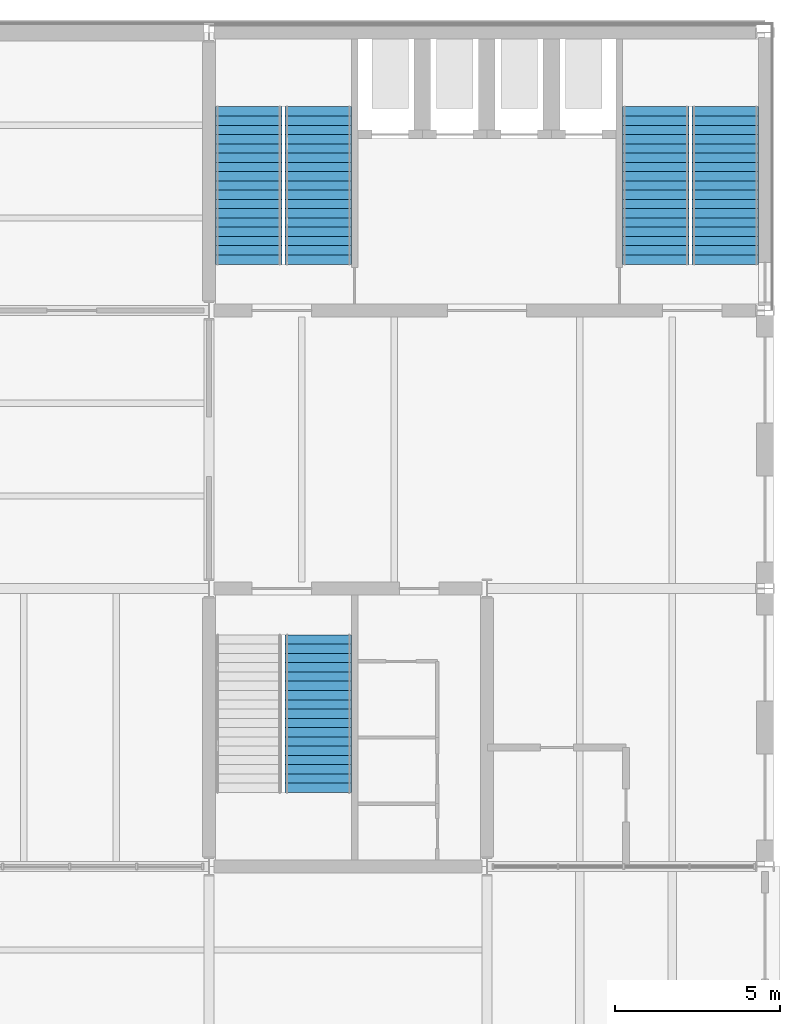
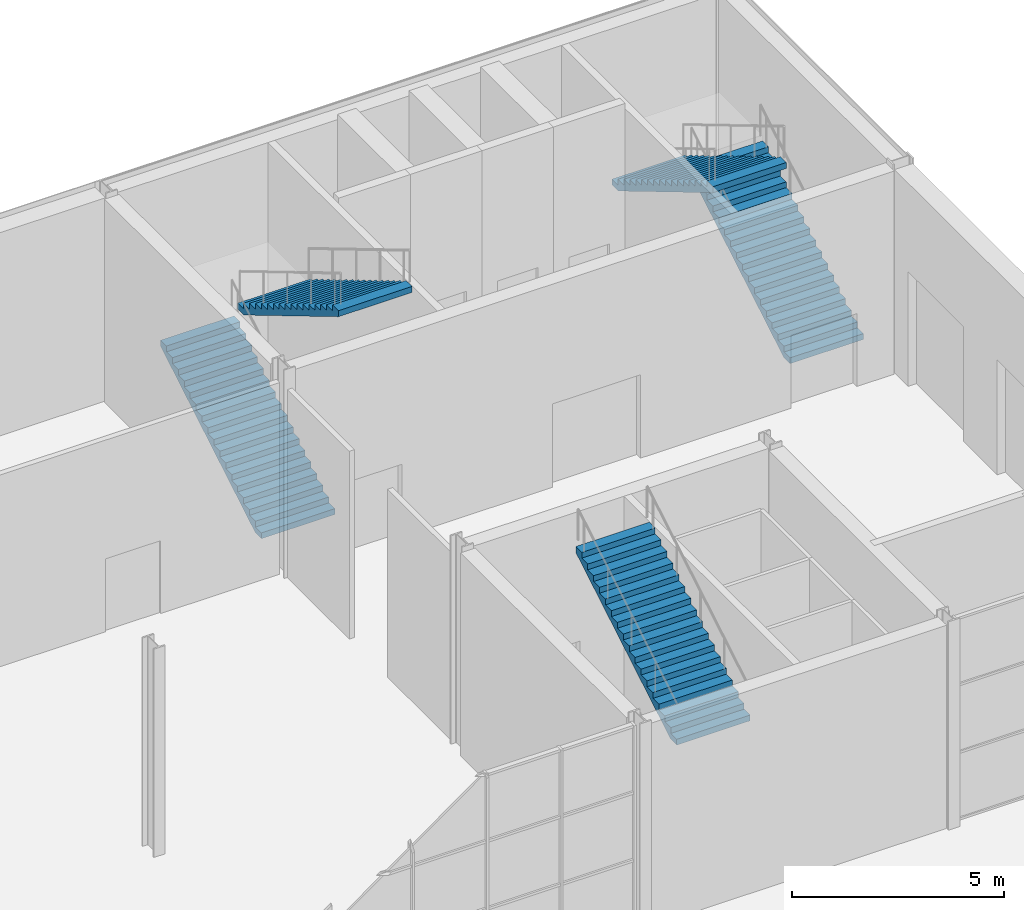
# One storey, part 39 of 55: 5 stair flights, 3 elements without a shape of their own.
"""IFC4 building model written with IfcOpenShell, lengths in metres."""

import ifcopenshell
import ifcopenshell.guid

model = None  # the IFC model being written
_history = None  # IfcOwnerHistory: only IFC2X3 demands one
_inside = {}  # id of a spatial element -> (the spatial element, [elements in it])
_under = {}  # id of a project, library or spatial element -> (it, [spatial elements below it])
_declared = {}  # id of a project -> (the project, [libraries it declares])
_typed = {}  # id of a type object -> (the type object, [elements of that type])
_made_of = {}  # id of a material, layer set ... -> (it, [elements and type objects made of it])


def new_model(schema):
    """Start an empty IFC model of exactly this schema.

    Asked for "IFC4X3", IfcOpenShell would pick the latest addendum, in which some entities
    have other attributes; the version numbers below select the first issue.
    IFC2X3 requires an IfcOwnerHistory on every rooted entity: one is made here for all.
    """
    global model, _history
    if schema == "IFC4X3":
        model = ifcopenshell.file(schema_version=(4, 3, 0, 0))
    else:
        model = ifcopenshell.file(schema=schema)
    _inside.clear()
    _under.clear()
    _declared.clear()
    _typed.clear()
    _made_of.clear()
    _history = None
    if model.schema == "IFC2X3":
        org = make("IfcOrganization", Name="unknown")
        user = make(
            "IfcPersonAndOrganization",
            ThePerson=make("IfcPerson", FamilyName="unknown"),
            TheOrganization=org,
        )
        app = make(
            "IfcApplication",
            ApplicationDeveloper=org,
            Version="unknown",
            ApplicationFullName="unknown",
            ApplicationIdentifier="unknown",
        )
        _history = make(
            "IfcOwnerHistory",
            OwningUser=user,
            OwningApplication=app,
            ChangeAction="ADDED",
            CreationDate=0,
        )
    return model


def make(cls, **values):
    """One entity of the class cls with the attributes given. An attribute that is None is left unset."""
    return model.create_entity(
        cls, **{name: value for name, value in values.items() if value is not None}
    )


def rooted(cls, **values):
    """An entity with a GlobalId (a new one), such as an element, a storey or a relation."""
    return make(cls, GlobalId=ifcopenshell.guid.new(), OwnerHistory=_history, **values)


def si_unit(unit_type, name, prefix=None):
    """IfcSIUnit, for example si_unit("LENGTHUNIT", "METRE", prefix="MILLI")."""
    return make("IfcSIUnit", UnitType=unit_type, Prefix=prefix, Name=name)


def assignment(units):
    """IfcUnitAssignment: the units of a project."""
    return None if units is None else make("IfcUnitAssignment", Units=units)


def point(xyz):
    """IfcCartesianPoint."""
    return None if xyz is None else make("IfcCartesianPoint", Coordinates=xyz)


def direction(xyz):
    """IfcDirection."""
    return None if xyz is None else make("IfcDirection", DirectionRatios=xyz)


def frame(location, z_axis=None, x_axis=None):
    """IfcAxis2Placement3D, a coordinate frame: its origin and axes. An axis left out is left unset."""
    return make(
        "IfcAxis2Placement3D",
        Location=point(location),
        Axis=direction(z_axis),
        RefDirection=direction(x_axis),
    )


def origin():
    """The frame at (0, 0, 0) with its axes left unset."""
    return frame((0.0, 0.0, 0.0))


def place(relative_to, where):
    """IfcLocalPlacement: puts the frame where relative to a parent placement (None: the world)."""
    return make(
        "IfcLocalPlacement", PlacementRelTo=relative_to, RelativePlacement=where
    )


def context(
    kind, dimensions, precision=None, world=None, true_north=None, identifier=None
):
    """IfcGeometricRepresentationContext, for example the 3D "Model" context."""
    return make(
        "IfcGeometricRepresentationContext",
        ContextIdentifier=identifier,
        ContextType=kind,
        CoordinateSpaceDimension=dimensions,
        Precision=precision,
        WorldCoordinateSystem=world,
        TrueNorth=true_north,
    )


def subcontext(parent, identifier, kind, view, scale=None):
    """IfcGeometricRepresentationSubContext, for example "Body" below "Model"."""
    return make(
        "IfcGeometricRepresentationSubContext",
        ContextIdentifier=identifier,
        ContextType=kind,
        ParentContext=parent,
        TargetScale=scale,
        TargetView=view,
    )


def project(units=None, contexts=None):
    """IfcProject with its units and contexts."""
    return rooted(
        "IfcProject",
        Name="project",
        RepresentationContexts=contexts,
        UnitsInContext=assignment(units),
    )


def spatial(cls, under=None, at=None, **own):
    """A site, building, storey or space (cls), placed at a placement, below another one or the project."""
    s = rooted(cls, ObjectPlacement=at, **own)
    if under is not None:
        _under.setdefault(under.id(), (under, []))[1].append(s)
    return s


def polyline(points):
    """IfcPolyline through the points."""
    return make("IfcPolyline", Points=[point(p) for p in points])


def outline(outer, holes=None, kind="AREA"):
    """IfcArbitraryClosedProfileDef: a profile drawn as a closed curve; with holes, ...WithVoids."""
    if holes is None:
        return make("IfcArbitraryClosedProfileDef", ProfileType=kind, OuterCurve=outer)
    return make(
        "IfcArbitraryProfileDefWithVoids",
        ProfileType=kind,
        OuterCurve=outer,
        InnerCurves=holes,
    )


def extrude(swept, where, along, depth):
    """IfcExtrudedAreaSolid: the profile swept, set in the frame where, extruded along a direction by depth."""
    return make(
        "IfcExtrudedAreaSolid",
        SweptArea=swept,
        Position=where,
        ExtrudedDirection=direction(along),
        Depth=depth,
    )


def shape(context_of_items, identifier, shape_type, items):
    """IfcShapeRepresentation: the items that make up one representation, for example the "Body"."""
    return make(
        "IfcShapeRepresentation",
        ContextOfItems=context_of_items,
        RepresentationIdentifier=identifier,
        RepresentationType=shape_type,
        Items=items,
    )


def material(Name=None, Category=None):
    """IfcMaterial."""
    return make("IfcMaterial", Name=Name, Category=Category)


def made_of(thing, what):
    """Note that an element or type object is made of a material, layer set ...; save() writes the relation."""
    if what is not None:
        _made_of.setdefault(what.id(), (what, []))[1].append(thing)
    return thing


def type_object(cls, material=None, **own):
    """A type object (cls), such as IfcWallType, which elements share."""
    return made_of(rooted(cls, **own), material)


def element(
    cls,
    number,
    at=None,
    inside=None,
    cuts=None,
    type_object=None,
    material=None,
    context=None,
    identifier="Body",
    shape_type=None,
    held_by="IfcProductDefinitionShape",
    body=None,
    shapes=None,
    **own,
):
    """One element of the class cls, such as IfcWall. Its Tag is "e" and its number.

    at: its placement. inside: the storey or other place that contains it. cuts: it is an
    opening in that element (IfcRelVoidsElement). A single representation is given by context,
    identifier, shape_type and body (its items); several are given by shapes. held_by: the class
    of the entity that holds the representations. save() writes the other relations.
    """
    e = rooted(cls, Tag="e%d" % number, ObjectPlacement=at, **own)
    if body is not None:
        shapes = [shape(context, identifier, shape_type, body)]
    if shapes is not None:
        e.Representation = make(held_by, Representations=shapes)
    if inside is not None:
        _inside.setdefault(inside.id(), (inside, []))[1].append(e)
    if cuts is not None:
        rooted(
            "IfcRelVoidsElement", RelatingBuildingElement=cuts, RelatedOpeningElement=e
        )
    if type_object is not None:
        _typed.setdefault(type_object.id(), (type_object, []))[1].append(e)
    return made_of(e, material)


def aggregate(whole, parts):
    """IfcRelAggregates: a whole, such as a stair, and the parts it consists of."""
    return rooted("IfcRelAggregates", RelatingObject=whole, RelatedObjects=parts)


def save(model, path):
    """Write the relations noted so far, then the file.

    IfcRelAggregates (storeys below a building ...), IfcRelContainedInSpatialStructure (elements
    in a storey), IfcRelDefinesByType, IfcRelAssociatesMaterial and IfcRelDeclares: one each for
    every whole, place, type object, material and project.
    """
    for whole, parts in _under.values():
        aggregate(whole, parts)
    for where, things in _inside.values():
        rooted(
            "IfcRelContainedInSpatialStructure",
            RelatedElements=things,
            RelatingStructure=where,
        )
    for kind, things in _typed.values():
        rooted("IfcRelDefinesByType", RelatedObjects=things, RelatingType=kind)
    for what, things in _made_of.values():
        rooted("IfcRelAssociatesMaterial", RelatedObjects=things, RelatingMaterial=what)
    for by, libraries in _declared.values():
        rooted("IfcRelDeclares", RelatingContext=by, RelatedDefinitions=libraries)
    model.write(path)


model = new_model("IFC4")

# Units and contexts
model_context = context("Model", 3, precision=1e-05, world=origin(), true_north=direction((0.0, 1.0)))
body_context = subcontext(model_context, "Body", "Model", "MODEL_VIEW")
ifc_project = project(units=[si_unit("LENGTHUNIT", "METRE"), si_unit("AREAUNIT", "SQUARE_METRE"), si_unit("VOLUMEUNIT", "CUBIC_METRE"), si_unit("PLANEANGLEUNIT", "RADIAN"), si_unit("MASSUNIT", "GRAM", prefix="KILO")], contexts=[model_context])

# Site, building, storey
site_placement = place(None, origin())
site = spatial("IfcSite", under=ifc_project, at=site_placement, CompositionType="ELEMENT")
building_placement = place(site_placement, origin())
building = spatial("IfcBuilding", under=site, at=building_placement, Name="Galleria Vessillo Department Store", CompositionType="ELEMENT")
storey_placement = place(building_placement, origin())
storey = spatial("IfcBuildingStorey", under=building, at=storey_placement, Name="L00", CompositionType="ELEMENT", Elevation=0.0)

# Stair, stair flights
ifc_material_1 = material(Name="Concrete C32/40", Category="concrete")
stair_type = type_object("IfcStairType", Name="Half-turn escape stair 2000 mm, 36 risers of 167 mm", PredefinedType="HALF_TURN_STAIR", material=ifc_material_1)
stair_1_placement = place(storey_placement, origin())
stair_1 = element("IfcStair", 1, at=stair_1_placement, inside=storey, type_object=stair_type, Name="Stair ST8 L00", PredefinedType="HALF_TURN_STAIR")
ifc_material_2 = material(Name="Concrete C32/40", Category="concrete")
stair_flight_type = type_object("IfcStairFlightType", Name="Stair flight 2000 mm, 18 risers of 167 mm", PredefinedType="STRAIGHT", material=ifc_material_2)
stair_flight_1_placement = place(storey_placement, frame((102.0, 55.99951171875, 0.0), z_axis=(0.0, 0.0, 1.0), x_axis=(0.0, 1.0, 0.0)))
stair_flight_1 = element("IfcStairFlight", 2, at=stair_flight_1_placement, type_object=stair_flight_type, Name="ST8 flight 1", NumberOfRisers=18, NumberOfTreads=17, PredefinedType="STRAIGHT", RiserHeight=0.166666667, TreadLength=0.28, context=body_context, shape_type="SweptSolid", body=[
    extrude(outline(polyline([(0.0, 0.0), (0.0, 0.166748046875), (0.280029296875, 0.166748046875), (0.280029296875, 0.333251953125), (0.56005859375, 0.333251953125), (0.56005859375, 0.5), (0.840087890625, 0.5), (0.840087890625, 0.666748046875), (1.1201171875, 0.666748046875), (1.1201171875, 0.833251953125), (1.39990234375, 0.833251953125), (1.39990234375, 1.0), (1.679931640625, 1.0), (1.679931640625, 1.166748046875), (1.9599609375, 1.166748046875), (1.9599609375, 1.333251953125), (2.239990234375, 1.333251953125), (2.239990234375, 1.5), (2.52001953125, 1.5), (2.52001953125, 1.666748046875), (2.800048828125, 1.666748046875), (2.800048828125, 1.833251953125), (3.080078125, 1.833251953125), (3.080078125, 2.0), (3.360107421875, 2.0), (3.360107421875, 2.166748046875), (3.639892578125, 2.166748046875), (3.639892578125, 2.333251953125), (3.919921875, 2.333251953125), (3.919921875, 2.5), (4.199951171875, 2.5), (4.199951171875, 2.666748046875), (4.47998046875, 2.666748046875), (4.47998046875, 2.833251953125), (4.760009765625, 2.833251953125), (4.760009765625, 3.0), (4.760009765625, 2.658935546875), (0.29296875, 0.0), (0.0, 0.0)])), frame((0.0, 1.0, 0.0), z_axis=(0.0, -1.0, 0.0), x_axis=(1.0, 0.0, 0.0)), (0.0, 0.0, 1.0), 2.0),
])
stair_flight_2_placement = place(storey_placement, frame((104.10009765625, 60.759521484375, 3.0), z_axis=(0.0, 0.0, 1.0), x_axis=(0.0, -1.0, 0.0)))
stair_flight_2 = element("IfcStairFlight", 3, at=stair_flight_2_placement, type_object=stair_flight_type, Name="ST8 flight 2", NumberOfRisers=18, NumberOfTreads=17, PredefinedType="STRAIGHT", RiserHeight=0.166666667, TreadLength=0.28, context=body_context, shape_type="SweptSolid", body=[
    extrude(outline(polyline([(0.0, 0.0), (0.0, 0.166748046875), (0.280029296875, 0.166748046875), (0.280029296875, 0.333251953125), (0.56005859375, 0.333251953125), (0.56005859375, 0.5), (0.840087890625, 0.5), (0.840087890625, 0.666748046875), (1.1201171875, 0.666748046875), (1.1201171875, 0.833251953125), (1.39990234375, 0.833251953125), (1.39990234375, 1.0), (1.679931640625, 1.0), (1.679931640625, 1.166748046875), (1.9599609375, 1.166748046875), (1.9599609375, 1.333251953125), (2.239990234375, 1.333251953125), (2.239990234375, 1.5), (2.52001953125, 1.5), (2.52001953125, 1.666748046875), (2.800048828125, 1.666748046875), (2.800048828125, 1.833251953125), (3.080078125, 1.833251953125), (3.080078125, 2.0), (3.360107421875, 2.0), (3.360107421875, 2.166748046875), (3.639892578125, 2.166748046875), (3.639892578125, 2.333251953125), (3.919921875, 2.333251953125), (3.919921875, 2.5), (4.199951171875, 2.5), (4.199951171875, 2.666748046875), (4.47998046875, 2.666748046875), (4.47998046875, 2.833251953125), (4.760009765625, 2.833251953125), (4.760009765625, 3.0), (4.760009765625, 2.658935546875), (0.29296875, 0.0), (0.0, 0.0)])), frame((0.0, 1.0, 0.0), z_axis=(0.0, -1.0, 0.0), x_axis=(1.0, 0.0, 0.0)), (0.0, 0.0, 1.0), 2.0),
])
aggregate(stair_1, [stair_flight_1, stair_flight_2])

stair_2_placement = place(storey_placement, origin())
stair_2 = element("IfcStair", 4, at=stair_2_placement, inside=storey, type_object=stair_type, Name="Stair ST9 L00", PredefinedType="HALF_TURN_STAIR")
stair_flight_3_placement = place(storey_placement, frame((116.39990234375, 55.99951171875, 0.0), z_axis=(0.0, 0.0, 1.0), x_axis=(0.0, 1.0, 0.0)))
stair_flight_3 = element("IfcStairFlight", 5, at=stair_flight_3_placement, type_object=stair_flight_type, Name="ST9 flight 1", NumberOfRisers=18, NumberOfTreads=17, PredefinedType="STRAIGHT", RiserHeight=0.166666667, TreadLength=0.28, context=body_context, shape_type="SweptSolid", body=[
    extrude(outline(polyline([(0.0, 0.0), (0.0, 0.166748046875), (0.280029296875, 0.166748046875), (0.280029296875, 0.333251953125), (0.56005859375, 0.333251953125), (0.56005859375, 0.5), (0.840087890625, 0.5), (0.840087890625, 0.666748046875), (1.1201171875, 0.666748046875), (1.1201171875, 0.833251953125), (1.39990234375, 0.833251953125), (1.39990234375, 1.0), (1.679931640625, 1.0), (1.679931640625, 1.166748046875), (1.9599609375, 1.166748046875), (1.9599609375, 1.333251953125), (2.239990234375, 1.333251953125), (2.239990234375, 1.5), (2.52001953125, 1.5), (2.52001953125, 1.666748046875), (2.800048828125, 1.666748046875), (2.800048828125, 1.833251953125), (3.080078125, 1.833251953125), (3.080078125, 2.0), (3.360107421875, 2.0), (3.360107421875, 2.166748046875), (3.639892578125, 2.166748046875), (3.639892578125, 2.333251953125), (3.919921875, 2.333251953125), (3.919921875, 2.5), (4.199951171875, 2.5), (4.199951171875, 2.666748046875), (4.47998046875, 2.666748046875), (4.47998046875, 2.833251953125), (4.760009765625, 2.833251953125), (4.760009765625, 3.0), (4.760009765625, 2.658935546875), (0.29296875, 0.0), (0.0, 0.0)])), frame((0.0, 1.0, 0.0), z_axis=(0.0, -1.0, 0.0), x_axis=(1.0, 0.0, 0.0)), (0.0, 0.0, 1.0), 2.0),
])
stair_flight_4_placement = place(storey_placement, frame((114.300048828125, 60.759521484375, 3.0), z_axis=(0.0, 0.0, 1.0), x_axis=(0.0, -1.0, 0.0)))
stair_flight_4 = element("IfcStairFlight", 6, at=stair_flight_4_placement, type_object=stair_flight_type, Name="ST9 flight 2", NumberOfRisers=18, NumberOfTreads=17, PredefinedType="STRAIGHT", RiserHeight=0.166666667, TreadLength=0.28, context=body_context, shape_type="SweptSolid", body=[
    extrude(outline(polyline([(0.0, 0.0), (0.0, 0.166748046875), (0.280029296875, 0.166748046875), (0.280029296875, 0.333251953125), (0.56005859375, 0.333251953125), (0.56005859375, 0.5), (0.840087890625, 0.5), (0.840087890625, 0.666748046875), (1.1201171875, 0.666748046875), (1.1201171875, 0.833251953125), (1.39990234375, 0.833251953125), (1.39990234375, 1.0), (1.679931640625, 1.0), (1.679931640625, 1.166748046875), (1.9599609375, 1.166748046875), (1.9599609375, 1.333251953125), (2.239990234375, 1.333251953125), (2.239990234375, 1.5), (2.52001953125, 1.5), (2.52001953125, 1.666748046875), (2.800048828125, 1.666748046875), (2.800048828125, 1.833251953125), (3.080078125, 1.833251953125), (3.080078125, 2.0), (3.360107421875, 2.0), (3.360107421875, 2.166748046875), (3.639892578125, 2.166748046875), (3.639892578125, 2.333251953125), (3.919921875, 2.333251953125), (3.919921875, 2.5), (4.199951171875, 2.5), (4.199951171875, 2.666748046875), (4.47998046875, 2.666748046875), (4.47998046875, 2.833251953125), (4.760009765625, 2.833251953125), (4.760009765625, 3.0), (4.760009765625, 2.658935546875), (0.29296875, 0.0), (0.0, 0.0)])), frame((0.0, 1.0, 0.0), z_axis=(0.0, -1.0, 0.0), x_axis=(1.0, 0.0, 0.0)), (0.0, 0.0, 1.0), 2.0),
])
aggregate(stair_2, [stair_flight_3, stair_flight_4])

# Stair, stair flight
stair_3_placement = place(storey_placement, origin())
stair_3 = element("IfcStair", 7, at=stair_3_placement, inside=storey, type_object=stair_type, Name="Stair ST12 L00", PredefinedType="HALF_TURN_STAIR")
stair_flight_5_placement = place(storey_placement, frame((104.10009765625, 40.04052734375, 3.0), z_axis=(0.0, 0.0, 1.0), x_axis=(0.0, 1.0, 0.0)))
stair_flight_5 = element("IfcStairFlight", 8, at=stair_flight_5_placement, type_object=stair_flight_type, Name="ST12 flight 2", NumberOfRisers=18, NumberOfTreads=17, PredefinedType="STRAIGHT", RiserHeight=0.166666667, TreadLength=0.28, context=body_context, shape_type="SweptSolid", body=[
    extrude(outline(polyline([(0.0, 0.0), (0.0, 0.166748046875), (0.280029296875, 0.166748046875), (0.280029296875, 0.333251953125), (0.56005859375, 0.333251953125), (0.56005859375, 0.5), (0.840087890625, 0.5), (0.840087890625, 0.666748046875), (1.1201171875, 0.666748046875), (1.1201171875, 0.833251953125), (1.39990234375, 0.833251953125), (1.39990234375, 1.0), (1.679931640625, 1.0), (1.679931640625, 1.166748046875), (1.9599609375, 1.166748046875), (1.9599609375, 1.333251953125), (2.239990234375, 1.333251953125), (2.239990234375, 1.5), (2.52001953125, 1.5), (2.52001953125, 1.666748046875), (2.800048828125, 1.666748046875), (2.800048828125, 1.833251953125), (3.080078125, 1.833251953125), (3.080078125, 2.0), (3.360107421875, 2.0), (3.360107421875, 2.166748046875), (3.639892578125, 2.166748046875), (3.639892578125, 2.333251953125), (3.919921875, 2.333251953125), (3.919921875, 2.5), (4.199951171875, 2.5), (4.199951171875, 2.666748046875), (4.47998046875, 2.666748046875), (4.47998046875, 2.833251953125), (4.760009765625, 2.833251953125), (4.760009765625, 3.0), (4.760009765625, 2.658935546875), (0.29296875, 0.0), (0.0, 0.0)])), frame((0.0, 1.0, 0.0), z_axis=(0.0, -1.0, 0.0), x_axis=(1.0, 0.0, 0.0)), (0.0, 0.0, 1.0), 2.0),
])
aggregate(stair_3, [stair_flight_5])

save(model, "model.ifc")
